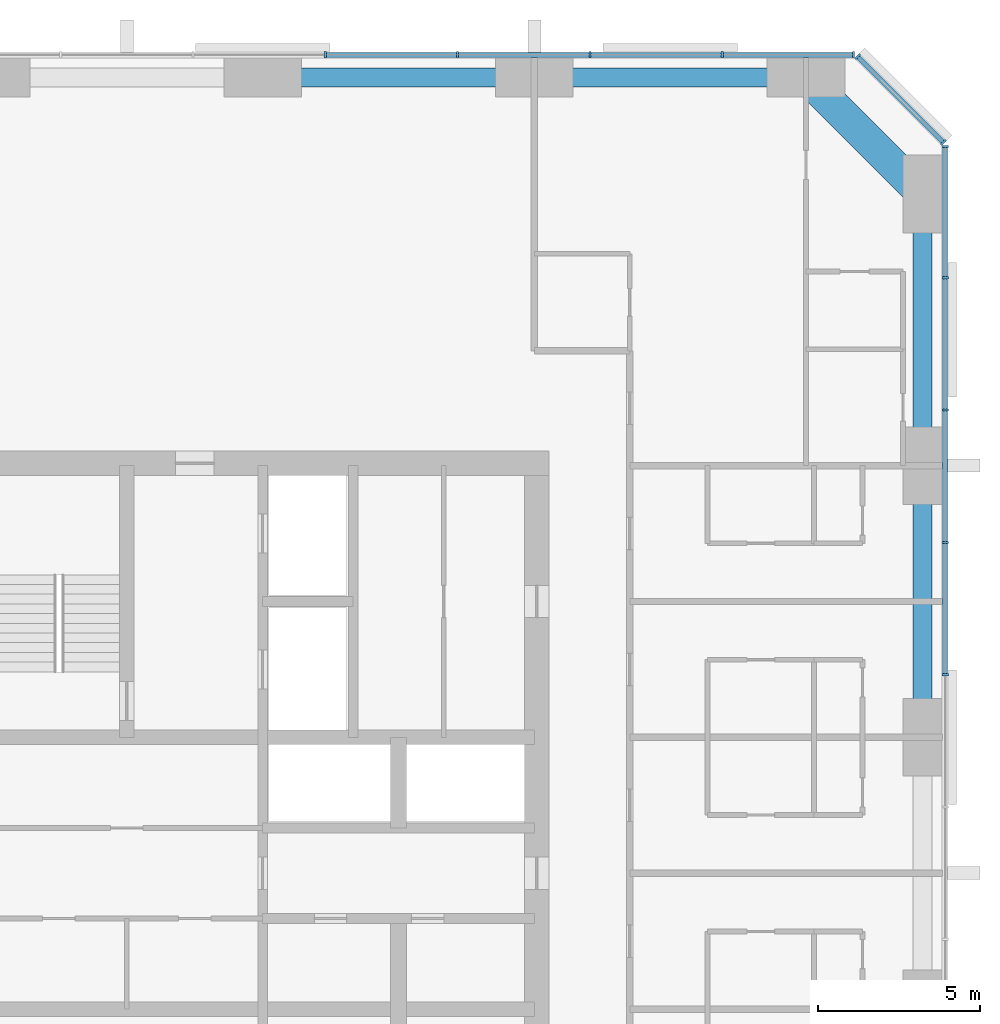
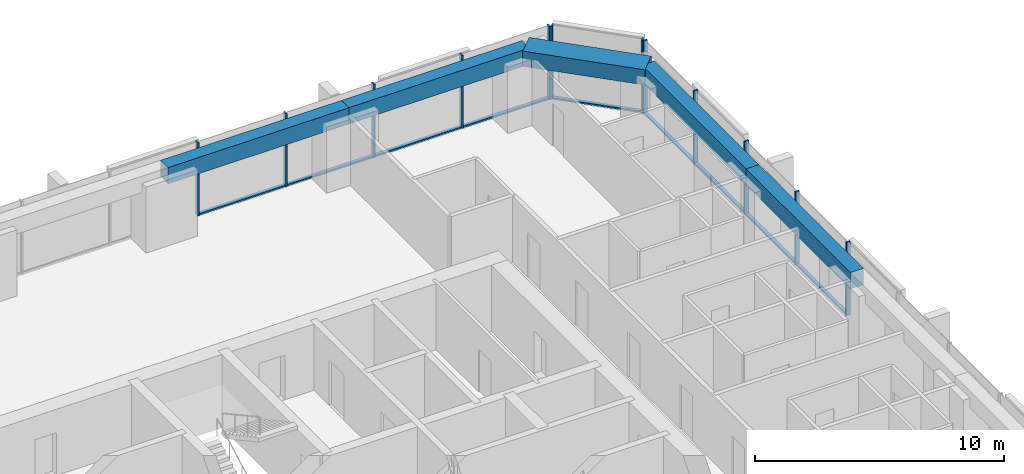
# One storey, part 6 of 14: 21 members, 5 beams, 3 elements without a shape of their own.
"""IFC4 building model written with IfcOpenShell, lengths in metres."""

from ifc_helpers import new_model, si_unit, direction, frame, origin, origin_2d, place, context, subcontext, project, spatial, rectangle, extrude, material, material_profile, profile_set, type_object, element, aggregate, save


model = new_model("IFC4")

# Units and contexts
model_context = context("Model", 3, precision=1e-05, world=origin(), true_north=direction((0.0, 1.0)))
body_context = subcontext(model_context, "Body", "Model", "MODEL_VIEW")
ifc_project = project(units=[si_unit("LENGTHUNIT", "METRE"), si_unit("AREAUNIT", "SQUARE_METRE"), si_unit("VOLUMEUNIT", "CUBIC_METRE"), si_unit("PLANEANGLEUNIT", "RADIAN"), si_unit("MASSUNIT", "GRAM", prefix="KILO")], contexts=[model_context])

# Site, building, storey
site_placement = place(None, origin())
site = spatial("IfcSite", under=ifc_project, at=site_placement, CompositionType="ELEMENT")
building_placement = place(site_placement, origin())
building = spatial("IfcBuilding", under=site, at=building_placement, Name="Dunama Terrace Hotel", CompositionType="ELEMENT")
storey_placement = place(building_placement, frame((0.0, 0.0, 177.0)))
storey = spatial("IfcBuildingStorey", under=building, at=storey_placement, Name="L45", CompositionType="ELEMENT", Elevation=177.0)

# Curtain wall, members
ifc_material_1 = material(Name="Aluminium curtain wall system", Category="aluminium")
curtain_wall_type = type_object("IfcCurtainWallType", Name="Unitised fritted glass wall CW-C", PredefinedType="NOTDEFINED", material=ifc_material_1)
curtain_wall_1_placement = place(storey_placement, origin())
curtain_wall_1 = element("IfcCurtainWall", 1, at=curtain_wall_1_placement, inside=storey, type_object=curtain_wall_type, Name="Unitised fritted glass wall CW-C L45", PredefinedType="NOTDEFINED")
ifc_material_2 = material(Name="Aluminium mullion", Category="aluminium")
ifc_material_profile_1 = material_profile(ifc_material_2, rectangle(XDim=0.070068359375, YDim=0.199951171875, at=origin_2d()), Name="CWC MULLION 70X200")
ifc_profile_set_1 = profile_set([ifc_material_profile_1], Name="Aluminium mullion")
member_type_1 = type_object("IfcMemberType", Name="CWC mullion 70x200", PredefinedType="MULLION", material=ifc_profile_set_1)
member_1_placement = place(storey_placement, frame((54.699951171875, 35.535888671875, 0.0), z_axis=(0.0, 0.0, 1.0), x_axis=(0.0, 1.0, 0.0)))
member_1 = element("IfcMember", 2, at=member_1_placement, type_object=member_type_1, Name="CWC mullion", PredefinedType="MULLION", context=body_context, shape_type="SweptSolid", body=[
    extrude(rectangle(XDim=0.070068359375, YDim=0.199951171875, at=origin_2d()), origin(), (0.0, 0.0, 1.0), 3.60009765625),
])
member_2_placement = place(storey_placement, frame((54.699951171875, 39.626953125, 0.0), z_axis=(0.0, 0.0, 1.0), x_axis=(0.0, 1.0, 0.0)))
member_2 = element("IfcMember", 3, at=member_2_placement, type_object=member_type_1, Name="CWC mullion", PredefinedType="MULLION", context=body_context, shape_type="SweptSolid", body=[
    extrude(rectangle(XDim=0.070068359375, YDim=0.199951171875, at=origin_2d()), origin(), (0.0, 0.0, 1.0), 3.60009765625),
])
member_3_placement = place(storey_placement, frame((54.699951171875, 43.718017578125, 0.0), z_axis=(0.0, 0.0, 1.0), x_axis=(0.0, 1.0, 0.0)))
member_3 = element("IfcMember", 4, at=member_3_placement, type_object=member_type_1, Name="CWC mullion", PredefinedType="MULLION", context=body_context, shape_type="SweptSolid", body=[
    extrude(rectangle(XDim=0.070068359375, YDim=0.199951171875, at=origin_2d()), origin(), (0.0, 0.0, 1.0), 3.60009765625),
])
member_4_placement = place(storey_placement, frame((54.699951171875, 47.80908203125, 0.0), z_axis=(0.0, 0.0, 1.0), x_axis=(0.0, 1.0, 0.0)))
member_4 = element("IfcMember", 5, at=member_4_placement, type_object=member_type_1, Name="CWC mullion", PredefinedType="MULLION", context=body_context, shape_type="SweptSolid", body=[
    extrude(rectangle(XDim=0.070068359375, YDim=0.199951171875, at=origin_2d()), origin(), (0.0, 0.0, 1.0), 3.60009765625),
])
member_5_placement = place(storey_placement, frame((54.699951171875, 51.864990234375, 0.0), z_axis=(0.0, 0.0, 1.0), x_axis=(0.0, 1.0, 0.0)))
member_5 = element("IfcMember", 6, at=member_5_placement, type_object=member_type_1, Name="CWC mullion", PredefinedType="MULLION", context=body_context, shape_type="SweptSolid", body=[
    extrude(rectangle(XDim=0.070068359375, YDim=0.199951171875, at=origin_2d()), origin(), (0.0, 0.0, 1.0), 3.60009765625),
])

curtain_wall_2_placement = place(storey_placement, origin())
curtain_wall_2 = element("IfcCurtainWall", 7, at=curtain_wall_2_placement, inside=storey, type_object=curtain_wall_type, Name="Unitised fritted glass wall CW-C L45", PredefinedType="NOTDEFINED")
member_6_placement = place(storey_placement, frame((54.64599609375, 51.9951171875, 0.0), z_axis=(0.0, 0.0, 1.0), x_axis=(-0.707106781187, 0.707106781187, 0.0)))
member_6 = element("IfcMember", 8, at=member_6_placement, type_object=member_type_1, Name="CWC mullion", PredefinedType="MULLION", context=body_context, shape_type="SweptSolid", body=[
    extrude(rectangle(XDim=0.070068359375, YDim=0.199951171875, at=origin_2d()), origin(), (0.0, 0.0, 1.0), 3.60009765625),
])
member_7_placement = place(storey_placement, frame((51.9951171875, 54.64599609375, 0.0), z_axis=(0.0, 0.0, 1.0), x_axis=(-0.707106781187, 0.707106781187, 0.0)))
member_7 = element("IfcMember", 9, at=member_7_placement, type_object=member_type_1, Name="CWC mullion", PredefinedType="MULLION", context=body_context, shape_type="SweptSolid", body=[
    extrude(rectangle(XDim=0.070068359375, YDim=0.199951171875, at=origin_2d()), origin(), (0.0, 0.0, 1.0), 3.60009765625),
])

curtain_wall_3_placement = place(storey_placement, origin())
curtain_wall_3 = element("IfcCurtainWall", 10, at=curtain_wall_3_placement, inside=storey, type_object=curtain_wall_type, Name="Unitised fritted glass wall CW-C L45", PredefinedType="NOTDEFINED")
member_8_placement = place(storey_placement, frame((51.864990234375, 54.699951171875, 0.0), z_axis=(0.0, 0.0, 1.0), x_axis=(-1.0, 0.0, 0.0)))
member_8 = element("IfcMember", 11, at=member_8_placement, type_object=member_type_1, Name="CWC mullion", PredefinedType="MULLION", context=body_context, shape_type="SweptSolid", body=[
    extrude(rectangle(XDim=0.070068359375, YDim=0.199951171875, at=origin_2d()), origin(), (0.0, 0.0, 1.0), 3.60009765625),
])
member_9_placement = place(storey_placement, frame((47.80908203125, 54.699951171875, 0.0), z_axis=(0.0, 0.0, 1.0), x_axis=(-1.0, 0.0, 0.0)))
member_9 = element("IfcMember", 12, at=member_9_placement, type_object=member_type_1, Name="CWC mullion", PredefinedType="MULLION", context=body_context, shape_type="SweptSolid", body=[
    extrude(rectangle(XDim=0.070068359375, YDim=0.199951171875, at=origin_2d()), origin(), (0.0, 0.0, 1.0), 3.60009765625),
])
member_10_placement = place(storey_placement, frame((43.718017578125, 54.699951171875, 0.0), z_axis=(0.0, 0.0, 1.0), x_axis=(-1.0, 0.0, 0.0)))
member_10 = element("IfcMember", 13, at=member_10_placement, type_object=member_type_1, Name="CWC mullion", PredefinedType="MULLION", context=body_context, shape_type="SweptSolid", body=[
    extrude(rectangle(XDim=0.070068359375, YDim=0.199951171875, at=origin_2d()), origin(), (0.0, 0.0, 1.0), 3.60009765625),
])
member_11_placement = place(storey_placement, frame((39.626953125, 54.699951171875, 0.0), z_axis=(0.0, 0.0, 1.0), x_axis=(-1.0, 0.0, 0.0)))
member_11 = element("IfcMember", 14, at=member_11_placement, type_object=member_type_1, Name="CWC mullion", PredefinedType="MULLION", context=body_context, shape_type="SweptSolid", body=[
    extrude(rectangle(XDim=0.070068359375, YDim=0.199951171875, at=origin_2d()), origin(), (0.0, 0.0, 1.0), 3.60009765625),
])
member_12_placement = place(storey_placement, frame((35.535888671875, 54.699951171875, 0.0), z_axis=(0.0, 0.0, 1.0), x_axis=(-1.0, 0.0, 0.0)))
member_12 = element("IfcMember", 15, at=member_12_placement, type_object=member_type_1, Name="CWC mullion", PredefinedType="MULLION", context=body_context, shape_type="SweptSolid", body=[
    extrude(rectangle(XDim=0.070068359375, YDim=0.199951171875, at=origin_2d()), origin(), (0.0, 0.0, 1.0), 3.60009765625),
])

# Member
ifc_material_3 = material(Name="Aluminium transom", Category="aluminium")
ifc_material_profile_2 = material_profile(ifc_material_3, rectangle(XDim=0.159912109375, YDim=0.080078125, at=origin_2d()), Name="CWC TRANSOM 160X80")
ifc_profile_set_2 = profile_set([ifc_material_profile_2], Name="Aluminium transom")
member_type_2 = type_object("IfcMemberType", Name="CWC transom 160x80", PredefinedType="USERDEFINED", material=ifc_profile_set_2)
member_13_placement = place(storey_placement, frame((54.699951171875, 35.571044921875, 0.0400390625), z_axis=(0.0, 1.0, 0.0), x_axis=(-1.0, 0.0, 0.0)))
member_13 = element("IfcMember", 16, at=member_13_placement, type_object=member_type_2, Name="CWC transom", ObjectType="TRANSOM", PredefinedType="USERDEFINED", context=body_context, shape_type="SweptSolid", body=[
    extrude(rectangle(XDim=0.159912109375, YDim=0.080078125, at=origin_2d()), origin(), (0.0, 0.0, 1.0), 4.02099609375),
])

member_14_placement = place(storey_placement, frame((54.699951171875, 39.662109375, 0.0400390625), z_axis=(0.0, 1.0, 0.0), x_axis=(-1.0, 0.0, 0.0)))
member_14 = element("IfcMember", 17, at=member_14_placement, type_object=member_type_2, Name="CWC transom", ObjectType="TRANSOM", PredefinedType="USERDEFINED", context=body_context, shape_type="SweptSolid", body=[
    extrude(rectangle(XDim=0.159912109375, YDim=0.080078125, at=origin_2d()), origin(), (0.0, 0.0, 1.0), 4.02099609375),
])

member_15_placement = place(storey_placement, frame((54.699951171875, 43.7529296875, 0.0400390625), z_axis=(0.0, 1.0, 0.0), x_axis=(-1.0, 0.0, 0.0)))
member_15 = element("IfcMember", 18, at=member_15_placement, type_object=member_type_2, Name="CWC transom", ObjectType="TRANSOM", PredefinedType="USERDEFINED", context=body_context, shape_type="SweptSolid", body=[
    extrude(rectangle(XDim=0.159912109375, YDim=0.080078125, at=origin_2d()), origin(), (0.0, 0.0, 1.0), 4.02099609375),
])

member_16_placement = place(storey_placement, frame((54.699951171875, 47.843994140625, 0.0400390625), z_axis=(0.0, 1.0, 0.0), x_axis=(-1.0, 0.0, 0.0)))
member_16 = element("IfcMember", 19, at=member_16_placement, type_object=member_type_2, Name="CWC transom", ObjectType="TRANSOM", PredefinedType="USERDEFINED", context=body_context, shape_type="SweptSolid", body=[
    extrude(rectangle(XDim=0.159912109375, YDim=0.080078125, at=origin_2d()), origin(), (0.0, 0.0, 1.0), 3.986083984375),
])

aggregate(curtain_wall_1, [member_1, member_2, member_3, member_4, member_5, member_13, member_14, member_15, member_16])

member_17_placement = place(storey_placement, frame((54.62109375, 52.02001953125, 0.0400390625), z_axis=(-0.707106781187, 0.707106781187, 0.0), x_axis=(-0.707106781187, -0.707106781187, 0.0)))
member_17 = element("IfcMember", 20, at=member_17_placement, type_object=member_type_2, Name="CWC transom", ObjectType="TRANSOM", PredefinedType="USERDEFINED", context=body_context, shape_type="SweptSolid", body=[
    extrude(rectangle(XDim=0.159912109375, YDim=0.080078125, at=origin_2d()), origin(), (0.0, 0.0, 1.0), 3.678466796875),
])

aggregate(curtain_wall_2, [member_6, member_7, member_17])

member_18_placement = place(storey_placement, frame((51.830078125, 54.699951171875, 0.0400390625), z_axis=(-1.0, 0.0, 0.0), x_axis=(0.0, -1.0, 0.0)))
member_18 = element("IfcMember", 21, at=member_18_placement, type_object=member_type_2, Name="CWC transom", ObjectType="TRANSOM", PredefinedType="USERDEFINED", context=body_context, shape_type="SweptSolid", body=[
    extrude(rectangle(XDim=0.159912109375, YDim=0.080078125, at=origin_2d()), origin(), (0.0, 0.0, 1.0), 3.986083984375),
])

member_19_placement = place(storey_placement, frame((47.77392578125, 54.699951171875, 0.0400390625), z_axis=(-1.0, 0.0, 0.0), x_axis=(0.0, -1.0, 0.0)))
member_19 = element("IfcMember", 22, at=member_19_placement, type_object=member_type_2, Name="CWC transom", ObjectType="TRANSOM", PredefinedType="USERDEFINED", context=body_context, shape_type="SweptSolid", body=[
    extrude(rectangle(XDim=0.159912109375, YDim=0.080078125, at=origin_2d()), origin(), (0.0, 0.0, 1.0), 4.02099609375),
])

member_20_placement = place(storey_placement, frame((43.68310546875, 54.699951171875, 0.0400390625), z_axis=(-1.0, 0.0, 0.0), x_axis=(0.0, -1.0, 0.0)))
member_20 = element("IfcMember", 23, at=member_20_placement, type_object=member_type_2, Name="CWC transom", ObjectType="TRANSOM", PredefinedType="USERDEFINED", context=body_context, shape_type="SweptSolid", body=[
    extrude(rectangle(XDim=0.159912109375, YDim=0.080078125, at=origin_2d()), origin(), (0.0, 0.0, 1.0), 4.02099609375),
])

member_21_placement = place(storey_placement, frame((39.592041015625, 54.699951171875, 0.0400390625), z_axis=(-1.0, 0.0, 0.0), x_axis=(0.0, -1.0, 0.0)))
member_21 = element("IfcMember", 24, at=member_21_placement, type_object=member_type_2, Name="CWC transom", ObjectType="TRANSOM", PredefinedType="USERDEFINED", context=body_context, shape_type="SweptSolid", body=[
    extrude(rectangle(XDim=0.159912109375, YDim=0.080078125, at=origin_2d()), origin(), (0.0, 0.0, 1.0), 4.02099609375),
])

aggregate(curtain_wall_3, [member_8, member_9, member_10, member_11, member_12, member_18, member_19, member_20, member_21])

# Beams
ifc_material_4 = material(Name="Concrete C50/60", Category="concrete")
ifc_material_profile_3 = material_profile(ifc_material_4, rectangle(XDim=1.0, YDim=0.75, at=origin_2d()), Name="RC 1000x750")
ifc_profile_set_3 = profile_set([ifc_material_profile_3], Name="Concrete C50/60")
beam_type_1 = type_object("IfcBeamType", Name="Edge beam RC 1000x750", PredefinedType="SPANDREL", material=ifc_profile_set_3)
beam_placement = place(storey_placement, frame((50.39990234375, 54.0, 3.22509765625), z_axis=(0.707106781187, -0.707106781187, 0.0), x_axis=(0.707106781187, 0.707106781187, 0.0)))
element("IfcBeam", 25, at=beam_placement, inside=storey, type_object=beam_type_1, Name="Corner edge beam under L46", PredefinedType="SPANDREL", context=body_context, shape_type="SweptSolid", body=[
    extrude(rectangle(XDim=1.0, YDim=0.75, at=origin_2d()), origin(), (0.0, 0.0, 1.0), 5.09130859375),
])
ifc_material_5 = material(Name="Concrete C40/50", Category="concrete")
ifc_material_profile_4 = material_profile(ifc_material_5, rectangle(XDim=0.60009765625, YDim=0.800048828125, at=origin_2d()), Name="RC 600x800")
ifc_profile_set_4 = profile_set([ifc_material_profile_4], Name="Concrete C40/50")
beam_type_2 = type_object("IfcBeamType", Name="Edge beam RC 600x800", PredefinedType="SPANDREL", material=ifc_profile_set_4)
for number, where, z_axis, x_axis, name in (
    (26, (54.0, 33.60009765625, 3.199951171875), (0.0, 1.0, 0.0), (-1.0, 0.0, 0.0), "Edge beam under L46"),
    (27, (54.0, 42.0, 3.199951171875), (0.0, 1.0, 0.0), (-1.0, 0.0, 0.0), "Edge beam under L46"),
    (28, (33.60009765625, 54.0, 3.199951171875), (1.0, 0.0, 0.0), (0.0, 1.0, 0.0), "Edge beam under L46"),
    (29, (42.0, 54.0, 3.199951171875), (1.0, 0.0, 0.0), (0.0, 1.0, 0.0), "Edge beam under L46"),
):
    element("IfcBeam", number, at=place(storey_placement, frame(where, z_axis=z_axis, x_axis=x_axis)), inside=storey, type_object=beam_type_2, Name=name, PredefinedType="SPANDREL", context=body_context, shape_type="SweptSolid", body=[
        extrude(rectangle(XDim=0.60009765625, YDim=0.800048828125, at=origin_2d()), origin(), (0.0, 0.0, 1.0), 8.39990234375),
    ])

save(model, "model.ifc")
